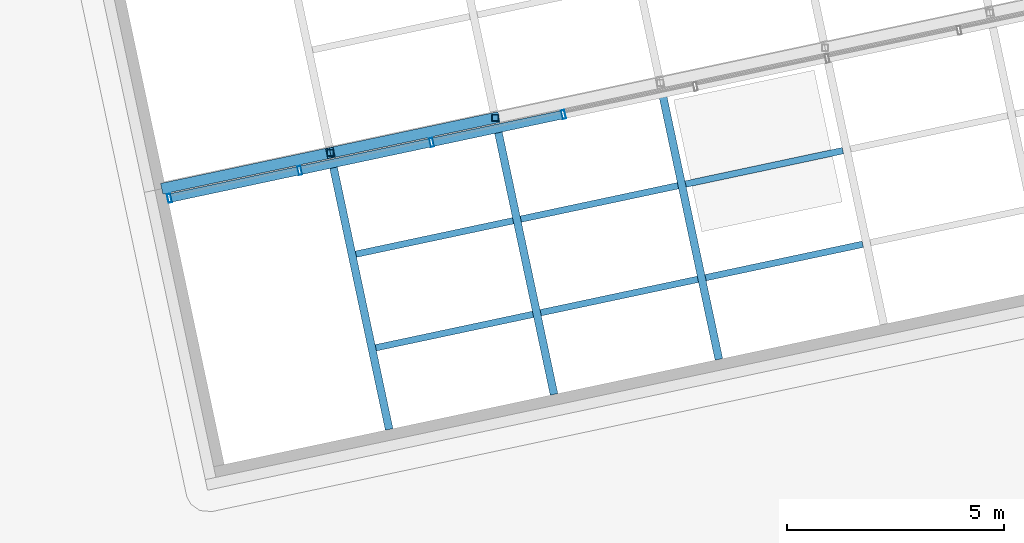
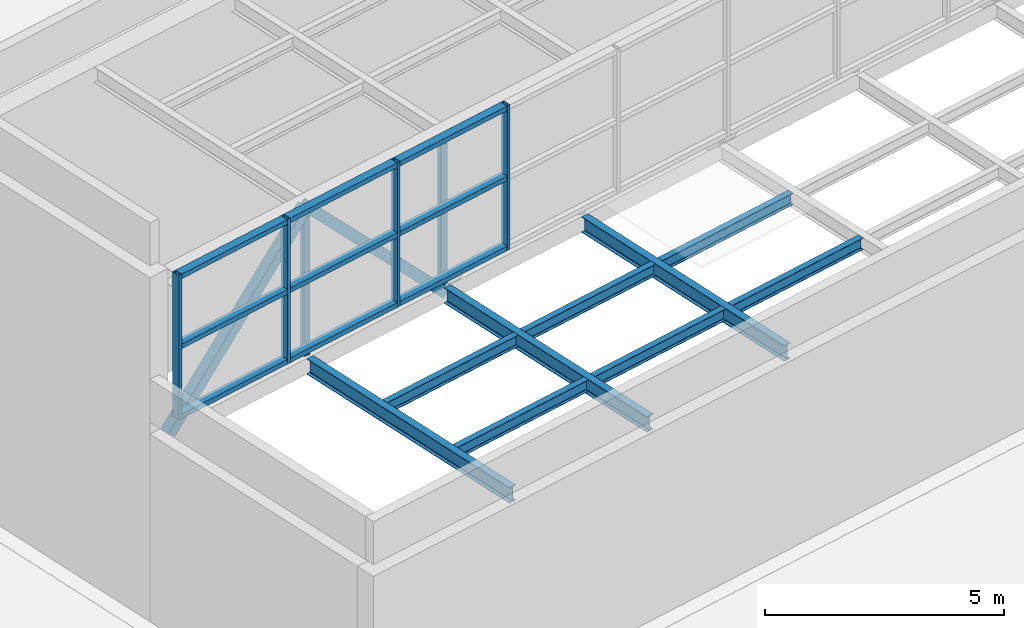
# One storey, part 44 of 72: 23 members, 3 beams, 1 element without a shape of its own.
"""IFC4 building model written with IfcOpenShell, lengths in metres."""

from ifc_helpers import new_model, si_unit, direction, frame, origin, origin_2d, place, context, subcontext, project, spatial, hollow_rectangle, i_section, extrude, material, layer, layer_set, material_profile, profile_set, type_object, element, aggregate, save


model = new_model("IFC4")

# Units and contexts
model_context = context("Model", 3, precision=1e-05, world=origin(), true_north=direction((0.0, 1.0)))
body_context = subcontext(model_context, "Body", "Model", "MODEL_VIEW")
ifc_project = project(units=[si_unit("LENGTHUNIT", "METRE"), si_unit("AREAUNIT", "SQUARE_METRE"), si_unit("VOLUMEUNIT", "CUBIC_METRE"), si_unit("PLANEANGLEUNIT", "RADIAN"), si_unit("MASSUNIT", "GRAM", prefix="KILO")], contexts=[model_context])

# Site, building, storey
site_placement = place(None, origin())
site = spatial("IfcSite", under=ifc_project, at=site_placement, CompositionType="ELEMENT")
building_placement = place(site_placement, origin())
building = spatial("IfcBuilding", under=site, at=building_placement, Name="Nzadi Deep Aquarium and Research Tower", CompositionType="ELEMENT")
storey_placement = place(building_placement, frame((0.0, 0.0, 31.89990234375)))
storey = spatial("IfcBuildingStorey", under=building, at=storey_placement, Name="L05", CompositionType="ELEMENT", Elevation=31.89990234375)

# Members
ifc_material_1 = material(Name="Steel S355", Category="steel")
ifc_material_profile_1 = material_profile(ifc_material_1, i_section(OverallWidth=0.14990234375, OverallDepth=0.300048828125, WebThickness=0.007080078125, FlangeThickness=0.0107421875, FilletRadius=0.014892578125, at=origin_2d()))
ifc_profile_set_1 = profile_set([ifc_material_profile_1], Name="Steel S355")
member_type_1 = type_object("IfcMemberType", Name="IPE 300", PredefinedType="PURLIN", material=ifc_profile_set_1)
for number, where, z_axis, x_axis, name in (
    (1, (18.473388671875, 106.30224609375, 4.650146484375), (0.978143399265, 0.207931456193, 0.0), (-0.207931456193, 0.978143399265, 0.0), "MB-BL-ROOF-SPU1-1"),
    (2, (22.263671875, 107.10791015625, 4.650146484375), (0.978143399265, 0.207931456193, 0.0), (-0.207931456193, 0.978143399265, 0.0), "MB-BL-ROOF-SPU1-2"),
    (3, (26.05419921875, 107.91357421875, 4.650146484375), (0.978143399265, 0.207931456193, 0.0), (-0.207931456193, 0.978143399265, 0.0), "MB-BL-ROOF-SPU1-3"),
    (4, (18.01611328125, 108.4541015625, 4.650146484375), (0.978143399265, 0.207931456193, 0.0), (-0.207931456193, 0.978143399265, 0.0), "MB-BL-ROOF-SPU2-1"),
    (5, (21.806396484375, 109.259765625, 4.650146484375), (0.978143399265, 0.207931456193, 0.0), (-0.207931456193, 0.978143399265, 0.0), "MB-BL-ROOF-SPU2-2"),
    (6, (25.5966796875, 110.0654296875, 4.650146484375), (0.978143399265, 0.207931456193, 0.0), (-0.207931456193, 0.978143399265, 0.0), "MB-BL-ROOF-SPU2-3"),
):
    element("IfcMember", number, at=place(storey_placement, frame(where, z_axis=z_axis, x_axis=x_axis)), inside=storey, type_object=member_type_1, Name=name, PredefinedType="PURLIN", context=body_context, shape_type="SweptSolid", body=[
        extrude(i_section(OverallWidth=0.14990234375, OverallDepth=0.300048828125, WebThickness=0.007080078125, FlangeThickness=0.0107421875, FilletRadius=0.014892578125, at=origin_2d()), origin(), (0.0, 0.0, 1.0), 3.695068359375),
    ])

# Beams
ifc_material_2 = material(Name="Steel S355", Category="steel")
ifc_material_profile_2 = material_profile(ifc_material_2, i_section(OverallWidth=0.179931640625, OverallDepth=0.39990234375, WebThickness=0.008544921875, FlangeThickness=0.013427734375, FilletRadius=0.02099609375, at=origin_2d()))
ifc_profile_set_2 = profile_set([ifc_material_profile_2], Name="Steel S355")
beam_type = type_object("IfcBeamType", Name="IPE 400", PredefinedType="BEAM", material=ifc_profile_set_2)
for number, where, z_axis, x_axis, name in (
    (7, (18.780517578125, 104.425048828125, 4.60009765625), (-0.207924511115, 0.978144875608, 0.0), (-0.978144875608, -0.207924511115, 0.0), "B-BL-ROOF-G1"),
    (8, (22.57080078125, 105.230712890625, 4.60009765625), (-0.207924511115, 0.978144875608, 0.0), (-0.978144875608, -0.207924511115, 0.0), "B-BL-ROOF-G2"),
    (9, (26.361083984375, 106.036376953125, 4.60009765625), (-0.207924511115, 0.978144875608, 0.0), (-0.978144875608, -0.207924511115, 0.0), "B-BL-ROOF-G3"),
):
    element("IfcBeam", number, at=place(storey_placement, frame(where, z_axis=z_axis, x_axis=x_axis)), inside=storey, type_object=beam_type, Name=name, PredefinedType="BEAM", context=body_context, shape_type="SweptSolid", body=[
        extrude(i_section(OverallWidth=0.179931640625, OverallDepth=0.39990234375, WebThickness=0.008544921875, FlangeThickness=0.013427734375, FilletRadius=0.02099609375, at=origin_2d()), origin(), (0.0, 0.0, 1.0), 6.349853515625),
    ])

# Curtain wall, members
ifc_material_3 = material(Name="Aluminium glazing frame tall", Category="aluminium")
ifc_layer = layer(ifc_material_3, 0.199951171875)
ifc_layer_set = layer_set([ifc_layer], Name="Aluminium glazing frame tall")
curtain_wall_type = type_object("IfcCurtainWallType", Name="Curtain wall Clerestory Tall 200", PredefinedType="NOTDEFINED", material=ifc_layer_set)
curtain_wall_placement = place(storey_placement, origin())
curtain_wall = element("IfcCurtainWall", 10, at=curtain_wall_placement, inside=storey, type_object=curtain_wall_type, Name="Reef blade clerestory glazing", PredefinedType="NOTDEFINED")
ifc_material_4 = material(Name="Aluminium glazing frame tall", Category="aluminium")
ifc_material_profile_3 = material_profile(ifc_material_4, hollow_rectangle(XDim=0.199951171875, YDim=0.080078125, WallThickness=0.0048828125, at=origin_2d()))
ifc_profile_set_3 = profile_set([ifc_material_profile_3], Name="Aluminium glazing frame tall")
member_type_2 = type_object("IfcMemberType", Name="Mullion 80x200 Clerestory Tall", PredefinedType="MULLION", material=ifc_profile_set_3)
member_1_placement = place(storey_placement, frame((13.729736328125, 109.7412109375, 5.10009765625), z_axis=(0.0, 0.0, 1.0), x_axis=(-0.207911690818, 0.978147600734, 0.0)))
member_1 = element("IfcMember", 11, at=member_1_placement, type_object=member_type_2, Name="CW258 mullion 1", PredefinedType="MULLION", context=body_context, shape_type="SweptSolid", body=[
    extrude(hollow_rectangle(XDim=0.199951171875, YDim=0.080078125, WallThickness=0.0048828125, at=origin_2d()), origin(), (0.0, 0.0, 1.0), 3.699951171875),
])
member_2_placement = place(storey_placement, frame((16.722900390625, 110.37744140625, 5.10009765625), z_axis=(0.0, 0.0, 1.0), x_axis=(-0.207911690818, 0.978147600734, 0.0)))
member_2 = element("IfcMember", 12, at=member_2_placement, type_object=member_type_2, Name="CW258 mullion 2", PredefinedType="MULLION", context=body_context, shape_type="SweptSolid", body=[
    extrude(hollow_rectangle(XDim=0.199951171875, YDim=0.080078125, WallThickness=0.0048828125, at=origin_2d()), origin(), (0.0, 0.0, 1.0), 3.699951171875),
])
member_3_placement = place(storey_placement, frame((19.755126953125, 111.02197265625, 5.10009765625), z_axis=(0.0, 0.0, 1.0), x_axis=(-0.207911690818, 0.978147600734, 0.0)))
member_3 = element("IfcMember", 13, at=member_3_placement, type_object=member_type_2, Name="CW258 mullion 3", PredefinedType="MULLION", context=body_context, shape_type="SweptSolid", body=[
    extrude(hollow_rectangle(XDim=0.199951171875, YDim=0.080078125, WallThickness=0.0048828125, at=origin_2d()), origin(), (0.0, 0.0, 1.0), 3.699951171875),
])
member_4_placement = place(storey_placement, frame((22.787353515625, 111.66650390625, 5.10009765625), z_axis=(0.0, 0.0, 1.0), x_axis=(-0.207911690818, 0.978147600734, 0.0)))
member_4 = element("IfcMember", 14, at=member_4_placement, type_object=member_type_2, Name="CW258 mullion 4", PredefinedType="MULLION", context=body_context, shape_type="SweptSolid", body=[
    extrude(hollow_rectangle(XDim=0.199951171875, YDim=0.080078125, WallThickness=0.0048828125, at=origin_2d()), origin(), (0.0, 0.0, 1.0), 3.699951171875),
])

# Members
ifc_material_5 = material(Name="Steel S355", Category="steel")
ifc_material_profile_4 = material_profile(ifc_material_5, hollow_rectangle(XDim=0.14990234375, YDim=0.14990234375, WallThickness=0.008056640625, at=origin_2d()))
ifc_profile_set_4 = profile_set([ifc_material_profile_4], Name="Steel S355")
member_type_3 = type_object("IfcMemberType", Name="RHS 150x150x8 post", PredefinedType="POST", material=ifc_profile_set_4)
for number, where, z_axis, x_axis, name in (
    (15, (17.428955078125, 110.782958984375, 4.800048828125), (0.0, 0.0, 1.0), (1.0, 0.0, 0.0), "MB-BL-STEP-V1"),
    (16, (21.21923828125, 111.588623046875, 4.800048828125), (0.0, 0.0, 1.0), (1.0, 0.0, 0.0), "MB-BL-STEP-V2"),
):
    element("IfcMember", number, at=place(storey_placement, frame(where, z_axis=z_axis, x_axis=x_axis)), inside=storey, type_object=member_type_3, Name=name, PredefinedType="POST", context=body_context, shape_type="SweptSolid", body=[
        extrude(hollow_rectangle(XDim=0.14990234375, YDim=0.14990234375, WallThickness=0.008056640625, at=origin_2d()), origin(), (0.0, 0.0, 1.0), 3.60009765625),
    ])
ifc_material_6 = material(Name="Steel S355", Category="steel")
ifc_material_profile_5 = material_profile(ifc_material_6, hollow_rectangle(XDim=0.25, YDim=0.25, WallThickness=0.010009765625, at=origin_2d()))
ifc_profile_set_5 = profile_set([ifc_material_profile_5], Name="Steel S355")
member_type_4 = type_object("IfcMemberType", Name="RHS 250x250x10 brace", PredefinedType="BRACE", material=ifc_profile_set_5)
for number, where, z_axis, x_axis, name in (
    (17, (13.638671875, 109.977294921875, 4.60009765625), (0.680586575277, 0.14466574547, 0.718243507204), (-0.207915270313, 0.978146839882, 0.0), "MB-BL-STEP-D1"),
    (18, (17.428955078125, 110.782958984375, 8.60009765625), (0.680586575277, 0.14466574547, -0.718243507204), (-0.207915270313, 0.978146839882, 0.0), "MB-BL-STEP-D2"),
):
    element("IfcMember", number, at=place(storey_placement, frame(where, z_axis=z_axis, x_axis=x_axis)), inside=storey, type_object=member_type_4, Name=name, PredefinedType="BRACE", context=body_context, shape_type="SweptSolid", body=[
        extrude(hollow_rectangle(XDim=0.25, YDim=0.25, WallThickness=0.010009765625, at=origin_2d()), origin(), (0.0, 0.0, 1.0), 5.569091796875),
    ])

# Member
ifc_material_7 = material(Name="Aluminium glazing frame tall", Category="aluminium")
ifc_material_profile_6 = material_profile(ifc_material_7, hollow_rectangle(XDim=0.199951171875, YDim=0.1201171875, WallThickness=0.0048828125, at=origin_2d()))
ifc_profile_set_6 = profile_set([ifc_material_profile_6], Name="Aluminium glazing frame tall")
member_type_5 = type_object("IfcMemberType", Name="Transom 120x200 Clerestory Tall", PredefinedType="MULLION", material=ifc_profile_set_6)
member_5_placement = place(storey_placement, frame((13.76904296875, 109.74951171875, 5.16015625), z_axis=(0.978142815083, 0.207934204262, 0.0), x_axis=(-0.207934204262, 0.978142815083, 0.0)))
member_5 = element("IfcMember", 19, at=member_5_placement, type_object=member_type_5, Name="CW258 transom 1.1", PredefinedType="MULLION", context=body_context, shape_type="SweptSolid", body=[
    extrude(hollow_rectangle(XDim=0.199951171875, YDim=0.1201171875, WallThickness=0.0048828125, at=origin_2d()), origin(), (0.0, 0.0, 1.0), 2.97998046875),
])

member_6_placement = place(storey_placement, frame((13.76904296875, 109.74951171875, 6.9501953125), z_axis=(0.978142815083, 0.207934204262, 0.0), x_axis=(-0.207934204262, 0.978142815083, 0.0)))
member_6 = element("IfcMember", 20, at=member_6_placement, type_object=member_type_5, Name="CW258 transom 1.2", PredefinedType="MULLION", context=body_context, shape_type="SweptSolid", body=[
    extrude(hollow_rectangle(XDim=0.199951171875, YDim=0.1201171875, WallThickness=0.0048828125, at=origin_2d()), origin(), (0.0, 0.0, 1.0), 2.97998046875),
])

member_7_placement = place(storey_placement, frame((13.76904296875, 109.74951171875, 8.739990234375), z_axis=(0.978142815083, 0.207934204262, 0.0), x_axis=(-0.207934204262, 0.978142815083, 0.0)))
member_7 = element("IfcMember", 21, at=member_7_placement, type_object=member_type_5, Name="CW258 transom 1.3", PredefinedType="MULLION", context=body_context, shape_type="SweptSolid", body=[
    extrude(hollow_rectangle(XDim=0.199951171875, YDim=0.1201171875, WallThickness=0.0048828125, at=origin_2d()), origin(), (0.0, 0.0, 1.0), 2.97998046875),
])

member_8_placement = place(storey_placement, frame((16.761962890625, 110.3857421875, 5.16015625), z_axis=(0.978146522194, 0.207916764883, 0.0), x_axis=(-0.207916764883, 0.978146522194, 0.0)))
member_8 = element("IfcMember", 22, at=member_8_placement, type_object=member_type_5, Name="CW258 transom 2.1", PredefinedType="MULLION", context=body_context, shape_type="SweptSolid", body=[
    extrude(hollow_rectangle(XDim=0.199951171875, YDim=0.1201171875, WallThickness=0.0048828125, at=origin_2d()), origin(), (0.0, 0.0, 1.0), 3.02001953125),
])

member_9_placement = place(storey_placement, frame((16.761962890625, 110.3857421875, 6.9501953125), z_axis=(0.978146522194, 0.207916764883, 0.0), x_axis=(-0.207916764883, 0.978146522194, 0.0)))
member_9 = element("IfcMember", 23, at=member_9_placement, type_object=member_type_5, Name="CW258 transom 2.2", PredefinedType="MULLION", context=body_context, shape_type="SweptSolid", body=[
    extrude(hollow_rectangle(XDim=0.199951171875, YDim=0.1201171875, WallThickness=0.0048828125, at=origin_2d()), origin(), (0.0, 0.0, 1.0), 3.02001953125),
])

member_10_placement = place(storey_placement, frame((16.761962890625, 110.3857421875, 8.739990234375), z_axis=(0.978146522194, 0.207916764883, 0.0), x_axis=(-0.207916764883, 0.978146522194, 0.0)))
member_10 = element("IfcMember", 24, at=member_10_placement, type_object=member_type_5, Name="CW258 transom 2.3", PredefinedType="MULLION", context=body_context, shape_type="SweptSolid", body=[
    extrude(hollow_rectangle(XDim=0.199951171875, YDim=0.1201171875, WallThickness=0.0048828125, at=origin_2d()), origin(), (0.0, 0.0, 1.0), 3.02001953125),
])

member_11_placement = place(storey_placement, frame((19.79443359375, 111.0302734375, 5.16015625), z_axis=(0.978143027179, 0.207933206538, 0.0), x_axis=(-0.207933206538, 0.978143027179, 0.0)))
member_11 = element("IfcMember", 25, at=member_11_placement, type_object=member_type_5, Name="CW258 transom 3.1", PredefinedType="MULLION", context=body_context, shape_type="SweptSolid", body=[
    extrude(hollow_rectangle(XDim=0.199951171875, YDim=0.1201171875, WallThickness=0.0048828125, at=origin_2d()), origin(), (0.0, 0.0, 1.0), 3.019775390625),
])

member_12_placement = place(storey_placement, frame((19.79443359375, 111.0302734375, 6.9501953125), z_axis=(0.978143027179, 0.207933206538, 0.0), x_axis=(-0.207933206538, 0.978143027179, 0.0)))
member_12 = element("IfcMember", 26, at=member_12_placement, type_object=member_type_5, Name="CW258 transom 3.2", PredefinedType="MULLION", context=body_context, shape_type="SweptSolid", body=[
    extrude(hollow_rectangle(XDim=0.199951171875, YDim=0.1201171875, WallThickness=0.0048828125, at=origin_2d()), origin(), (0.0, 0.0, 1.0), 3.019775390625),
])

member_13_placement = place(storey_placement, frame((19.79443359375, 111.0302734375, 8.739990234375), z_axis=(0.978143027179, 0.207933206538, 0.0), x_axis=(-0.207933206538, 0.978143027179, 0.0)))
member_13 = element("IfcMember", 27, at=member_13_placement, type_object=member_type_5, Name="CW258 transom 3.3", PredefinedType="MULLION", context=body_context, shape_type="SweptSolid", body=[
    extrude(hollow_rectangle(XDim=0.199951171875, YDim=0.1201171875, WallThickness=0.0048828125, at=origin_2d()), origin(), (0.0, 0.0, 1.0), 3.019775390625),
])

aggregate(curtain_wall, [member_1, member_2, member_3, member_4, member_5, member_6, member_7, member_8, member_9, member_10, member_11, member_12, member_13])

save(model, "model.ifc")
